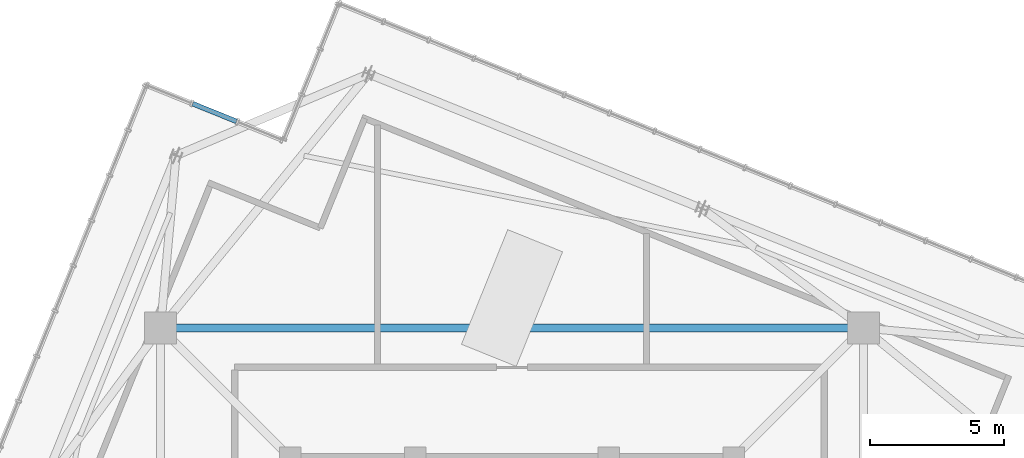
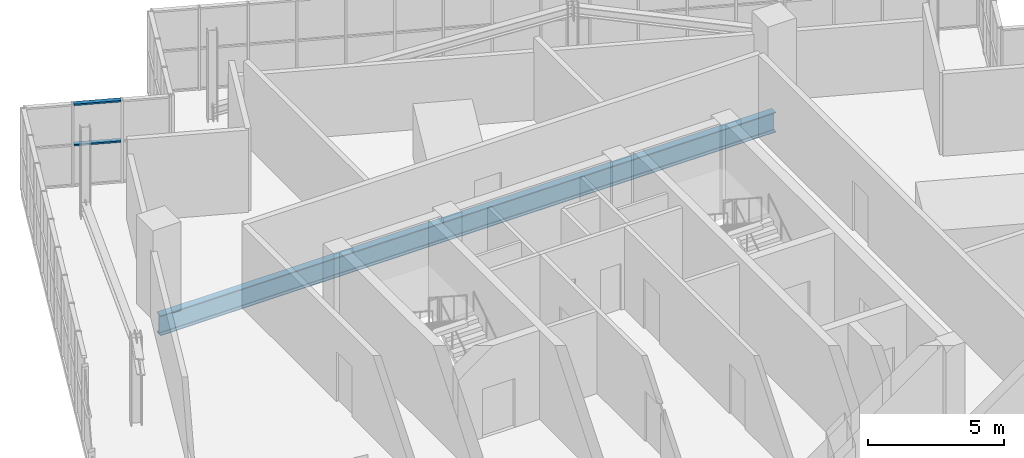
# One storey, part 13 of 26: 2 members, 1 beam, 1 element without a shape of its own.
"""IFC4 building model written with IfcOpenShell, lengths in metres."""

from ifc_helpers import new_model, si_unit, direction, frame, origin, origin_2d, place, context, subcontext, project, spatial, hollow_rectangle, i_section, extrude, source, transform, mapped, material, layer, layer_set, material_profile, profile_set, type_object, element, aggregate, save


model = new_model("IFC4")

# Units and contexts
model_context = context("Model", 3, precision=1e-05, world=origin(), true_north=direction((0.0, 1.0)))
body_context = subcontext(model_context, "Body", "Model", "MODEL_VIEW")
ifc_project = project(units=[si_unit("LENGTHUNIT", "METRE"), si_unit("AREAUNIT", "SQUARE_METRE"), si_unit("VOLUMEUNIT", "CUBIC_METRE"), si_unit("PLANEANGLEUNIT", "RADIAN"), si_unit("MASSUNIT", "GRAM", prefix="KILO"), si_unit("THERMODYNAMICTEMPERATUREUNIT", "KELVIN")], contexts=[model_context])

# Site, building, storey
site_placement = place(None, origin())
site = spatial("IfcSite", under=ifc_project, at=site_placement, CompositionType="ELEMENT")
building_placement = place(site_placement, origin())
building = spatial("IfcBuilding", under=site, at=building_placement, Name="Kosmvard Interchange Tower", CompositionType="ELEMENT")
storey_placement = place(building_placement, frame((0.0, 0.0, 329.60009765625)))
storey = spatial("IfcBuildingStorey", under=building, at=storey_placement, Name="L81", CompositionType="ELEMENT", Elevation=329.60009765625)

# Beam
ifc_material_1 = material(Name="Steel S355", Category="steel")
ifc_material_profile_1 = material_profile(ifc_material_1, i_section(OverallWidth=0.300048828125, OverallDepth=0.89990234375, WebThickness=0.0185546875, FlangeThickness=0.034912109375, FilletRadius=0.030029296875, at=origin_2d()), Name="HEB 900")
ifc_profile_set_1 = profile_set([ifc_material_profile_1], Name="Steel S355")
beam_type = type_object("IfcBeamType", Name="Mega-Column Ring Girder HEB 900 S355", PredefinedType="BEAM", material=ifc_profile_set_1)
shared_shape_1 = source(origin(), body_context, "Body", "SweptSolid", [
    extrude(i_section(OverallWidth=0.300048828125, OverallDepth=0.89990234375, WebThickness=0.0185546875, FlangeThickness=0.034912109375, FilletRadius=0.030029296875, at=origin_2d()), origin(), (0.0, 0.0, 1.0), 26.162109375),
])
beam_placement = place(storey_placement, frame((13.0810546875, 13.0810546875, -0.75), z_axis=(-1.0, 0.0, 0.0), x_axis=(0.0, -1.0, 0.0)))
element("IfcBeam", 1, at=beam_placement, inside=storey, type_object=beam_type, Name="L81 Mega-Column Ring Girder 3", PredefinedType="BEAM", context=body_context, shape_type="MappedRepresentation", body=[
    mapped(shared_shape_1, transform((0.0, 0.0, 0.0), scale=1.0)),
])

# Curtain wall, members
ifc_material_2 = material(Name="Architectural anodised aluminium", Category="aluminium")
ifc_layer = layer(ifc_material_2, 0.25, Name="Architectural anodised aluminium")
ifc_layer_set = layer_set([ifc_layer], Name="Architectural anodised aluminium")
curtain_wall_type = type_object("IfcCurtainWallType", Name="CW-6 Illuminated Crown Lantern Curtain Wall", PredefinedType="NOTDEFINED", material=ifc_layer_set)
curtain_wall_placement = place(storey_placement, origin())
curtain_wall = element("IfcCurtainWall", 2, at=curtain_wall_placement, inside=storey, type_object=curtain_wall_type, Name="L81 Crown Lantern Glazing Face 06", PredefinedType="NOTDEFINED")
ifc_material_profile_2 = material_profile(ifc_material_2, hollow_rectangle(XDim=0.179931640625, YDim=0.070068359375, WallThickness=0.0048828125, at=origin_2d()), Name="CWT 180x70x5")
ifc_profile_set_2 = profile_set([ifc_material_profile_2], Name="Architectural anodised aluminium")
member_type = type_object("IfcMemberType", Name="Heavy Lantern CW Transom 180x70 Aluminium", PredefinedType="USERDEFINED", material=ifc_profile_set_2)
shared_shape_2 = source(origin(), body_context, "Body", "SweptSolid", [
    extrude(hollow_rectangle(XDim=0.179931640625, YDim=0.070068359375, WallThickness=0.0048828125, at=origin_2d()), origin(), (0.0, 0.0, 1.0), 1.75341796875),
])
member_1_placement = place(storey_placement, frame((-10.257568359375, 20.775390625, 1.849853515625), z_axis=(-0.927203712676, 0.37455743912, 0.0), x_axis=(-0.37455743912, -0.927203712676, 0.0)))
member_1 = element("IfcMember", 3, at=member_1_placement, type_object=member_type, Name="CW-6 transom 2.2", ObjectType="TRANSOM", PredefinedType="USERDEFINED", context=body_context, shape_type="MappedRepresentation", body=[
    mapped(shared_shape_2, transform((0.0, 0.0, 0.0), scale=1.0)),
])
member_2_placement = place(storey_placement, frame((-10.257568359375, 20.775390625, 3.664794921875), z_axis=(-0.927203712676, 0.37455743912, 0.0), x_axis=(-0.37455743912, -0.927203712676, 0.0)))
member_2 = element("IfcMember", 4, at=member_2_placement, type_object=member_type, Name="CW-6 transom 2.3", ObjectType="TRANSOM", PredefinedType="USERDEFINED", context=body_context, shape_type="MappedRepresentation", body=[
    mapped(shared_shape_2, transform((0.0, 0.0, 0.0), scale=1.0)),
])
aggregate(curtain_wall, [member_1, member_2])

save(model, "model.ifc")
